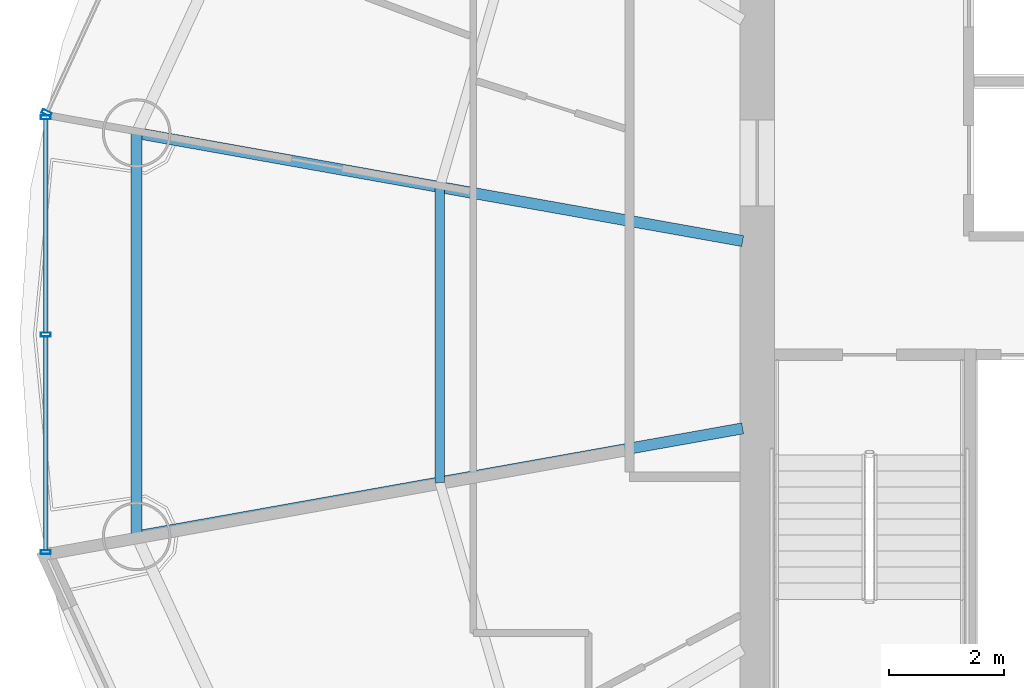
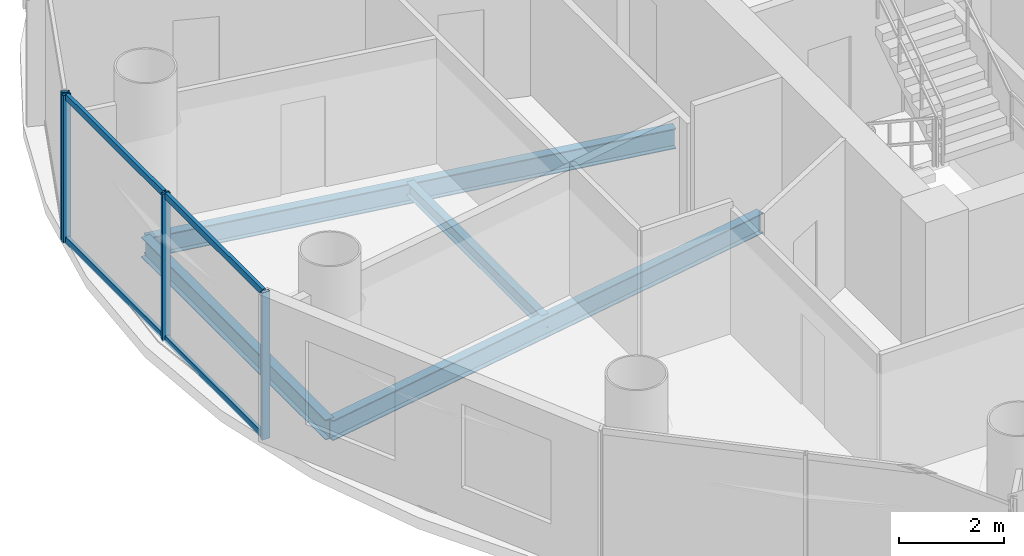
# One storey, part 7 of 27: 8 members, 4 beams, 2 elements without a shape of their own.
"""IFC4 building model written with IfcOpenShell, lengths in metres."""

from ifc_helpers import new_model, si_unit, direction, frame, origin, origin_2d, place, context, subcontext, project, spatial, hollow_rectangle, i_section, extrude, source, transform, mapped, material, material_profile, profile_set, type_object, element, aggregate, save


model = new_model("IFC4")

# Units and contexts
model_context = context("Model", 3, precision=1e-05, world=origin(), true_north=direction((-0.2419218956, 0.970295726276)))
body_context = subcontext(model_context, "Body", "Model", "MODEL_VIEW")
ifc_project = project(units=[si_unit("LENGTHUNIT", "METRE"), si_unit("AREAUNIT", "SQUARE_METRE"), si_unit("VOLUMEUNIT", "CUBIC_METRE"), si_unit("PLANEANGLEUNIT", "RADIAN"), si_unit("MASSUNIT", "GRAM", prefix="KILO")], contexts=[model_context])

# Site, building, storey
site_placement = place(None, origin())
site = spatial("IfcSite", under=ifc_project, at=site_placement, CompositionType="ELEMENT")
building_placement = place(site_placement, origin())
building = spatial("IfcBuilding", under=site, at=building_placement, Name="Cobrevalo Terracotta Tower", CompositionType="ELEMENT")
storey_placement = place(building_placement, frame((0.0, 0.0, 191.199951171875)))
storey = spatial("IfcBuildingStorey", under=building, at=storey_placement, Name="L50", CompositionType="ELEMENT", Elevation=191.199951171875)

# Beams
ifc_material_1 = material(Name="Steel S355", Category="steel")
ifc_material_profile_1 = material_profile(ifc_material_1, i_section(OverallWidth=0.194091796875, OverallDepth=0.468994140625, WebThickness=0.011474609375, FlangeThickness=0.0205078125, at=origin_2d()), Name="W 460x106")
ifc_profile_set_1 = profile_set([ifc_material_profile_1], Name="Steel S355")
beam_type_1 = type_object("IfcBeamType", Name="Structural Beam W 460x106 (Steel S355)", PredefinedType="BEAM", material=ifc_profile_set_1)
for number, where, z_axis, x_axis, name in (
    (1, (18.237060546875, 30.3212890625, -0.49951171875), (0.98449712063, -0.175400739656, 0.0), (0.175400739656, 0.98449712063, 0.0), "L50 radial floor girder 08"),
    (2, (18.237060546875, 23.278564453125, -0.49951171875), (0.984493198547, 0.175422752274, 0.0), (-0.175422752274, 0.984493198547, 0.0), "L50 radial floor girder 09"),
):
    element("IfcBeam", number, at=place(storey_placement, frame(where, z_axis=z_axis, x_axis=x_axis)), inside=storey, type_object=beam_type_1, Name=name, PredefinedType="BEAM", context=body_context, shape_type="SweptSolid", body=[
        extrude(i_section(OverallWidth=0.194091796875, OverallDepth=0.468994140625, WebThickness=0.011474609375, FlangeThickness=0.0205078125, at=origin_2d()), origin(), (0.0, 0.0, 1.0), 10.749755859375),
    ])
ifc_material_profile_2 = material_profile(ifc_material_1, i_section(OverallWidth=0.1650390625, OverallDepth=0.31005859375, WebThickness=0.005859375, FlangeThickness=0.009765625, at=origin_2d()), Name="W 310x38.7")
ifc_profile_set_2 = profile_set([ifc_material_profile_2], Name="Steel S355")
beam_type_2 = type_object("IfcBeamType", Name="Structural Joist W 310x38.7 (Steel S355)", PredefinedType="JOIST", material=ifc_profile_set_2)
beam_1_placement = place(storey_placement, frame((23.528564453125, 29.378662109375, -0.419921875), z_axis=(0.0, -1.0, 0.0), x_axis=(1.0, 0.0, 0.0)))
element("IfcBeam", 3, at=beam_1_placement, inside=storey, type_object=beam_type_2, Name="L50 circumferential secondary floor joist 08", PredefinedType="JOIST", context=body_context, shape_type="SweptSolid", body=[
    extrude(i_section(OverallWidth=0.1650390625, OverallDepth=0.31005859375, WebThickness=0.005859375, FlangeThickness=0.009765625, at=origin_2d()), origin(), (0.0, 0.0, 1.0), 5.1572265625),
])
ifc_material_profile_3 = material_profile(ifc_material_1, i_section(OverallWidth=0.194091796875, OverallDepth=0.468994140625, WebThickness=0.011474609375, FlangeThickness=0.0205078125, at=origin_2d()), Name="W 460x106")
ifc_profile_set_3 = profile_set([ifc_material_profile_3], Name="Steel S355")
beam_type_3 = type_object("IfcBeamType", Name="Structural Spandrel W 460x106 (Steel S355)", PredefinedType="SPANDREL", material=ifc_profile_set_3)
beam_2_placement = place(storey_placement, frame((18.237060546875, 30.3212890625, -0.49951171875), z_axis=(0.0, -1.0, 0.0), x_axis=(1.0, 0.0, 0.0)))
element("IfcBeam", 4, at=beam_2_placement, inside=storey, type_object=beam_type_3, Name="L50 perimeter ring spandrel 08", PredefinedType="SPANDREL", context=body_context, shape_type="SweptSolid", body=[
    extrude(i_section(OverallWidth=0.194091796875, OverallDepth=0.468994140625, WebThickness=0.011474609375, FlangeThickness=0.0205078125, at=origin_2d()), origin(), (0.0, 0.0, 1.0), 7.042724609375),
])

# Curtain wall, members
ifc_material_2 = material(Name="Anodized aluminium", Category="aluminium")
curtain_wall_type = type_object("IfcCurtainWallType", Name="Mid-tower high-wind unitised curtain wall CW-U2", PredefinedType="NOTDEFINED", material=ifc_material_2)
curtain_wall_1_placement = place(storey_placement, origin())
curtain_wall_1 = element("IfcCurtainWall", 5, at=curtain_wall_1_placement, inside=storey, type_object=curtain_wall_type, Name="L50 curtain wall CW-L50-S08", PredefinedType="NOTDEFINED")
ifc_material_profile_4 = material_profile(ifc_material_2, hollow_rectangle(XDim=0.074951171875, YDim=0.14990234375, WallThickness=0.00439453125, at=origin_2d()), Name="CWT 75x150")
ifc_profile_set_4 = profile_set([ifc_material_profile_4], Name="Anodized aluminium")
member_type_1 = type_object("IfcMemberType", Name="Tower unitised aluminium transom 75x150", PredefinedType="USERDEFINED", material=ifc_profile_set_4)
shared_shape_1 = source(origin(), body_context, "Body", "SweptSolid", [
    extrude(hollow_rectangle(XDim=0.074951171875, YDim=0.14990234375, WallThickness=0.00439453125, at=origin_2d()), origin(), (0.0, 0.0, 1.0), 3.71728515625),
])
member_1_placement = place(storey_placement, frame((16.648193359375, 30.557373046875, 0.050048828125), z_axis=(0.0, -1.0, 0.0), x_axis=(1.0, 0.0, 0.0)))
member_1 = element("IfcMember", 6, at=member_1_placement, type_object=member_type_1, Name="CW-L50-S08 transom B01-T1", ObjectType="TRANSOM", PredefinedType="USERDEFINED", context=body_context, shape_type="MappedRepresentation", body=[
    mapped(shared_shape_1, transform((0.0, 0.0, 0.0), scale=1.0)),
])
member_2_placement = place(storey_placement, frame((16.648193359375, 30.557373046875, 3.385009765625), z_axis=(0.0, -1.0, 0.0), x_axis=(1.0, 0.0, 0.0)))
member_2 = element("IfcMember", 7, at=member_2_placement, type_object=member_type_1, Name="CW-L50-S08 transom B01-T2", ObjectType="TRANSOM", PredefinedType="USERDEFINED", context=body_context, shape_type="MappedRepresentation", body=[
    mapped(shared_shape_1, transform((0.0, 0.0, 0.0), scale=1.0)),
])
shared_shape_2 = source(origin(), body_context, "Body", "SweptSolid", [
    extrude(hollow_rectangle(XDim=0.074951171875, YDim=0.14990234375, WallThickness=0.00439453125, at=origin_2d()), origin(), (0.0, 0.0, 1.0), 3.717529296875),
])
member_3_placement = place(storey_placement, frame((16.648193359375, 26.760009765625, 0.050048828125), z_axis=(0.0, -1.0, 0.0), x_axis=(1.0, 0.0, 0.0)))
member_3 = element("IfcMember", 8, at=member_3_placement, type_object=member_type_1, Name="CW-L50-S08 transom B02-T1", ObjectType="TRANSOM", PredefinedType="USERDEFINED", context=body_context, shape_type="MappedRepresentation", body=[
    mapped(shared_shape_2, transform((0.0, 0.0, 0.0), scale=1.0)),
])
member_4_placement = place(storey_placement, frame((16.648193359375, 26.760009765625, 3.385009765625), z_axis=(0.0, -1.0, 0.0), x_axis=(1.0, 0.0, 0.0)))
member_4 = element("IfcMember", 9, at=member_4_placement, type_object=member_type_1, Name="CW-L50-S08 transom B02-T2", ObjectType="TRANSOM", PredefinedType="USERDEFINED", context=body_context, shape_type="MappedRepresentation", body=[
    mapped(shared_shape_2, transform((0.0, 0.0, 0.0), scale=1.0)),
])

# Curtain wall, member
curtain_wall_2_placement = place(storey_placement, origin())
curtain_wall_2 = element("IfcCurtainWall", 10, at=curtain_wall_2_placement, inside=storey, type_object=curtain_wall_type, Name="L50 curtain wall CW-L50-S07", PredefinedType="NOTDEFINED")
ifc_material_profile_5 = material_profile(ifc_material_2, hollow_rectangle(XDim=0.070068359375, YDim=0.169921875, WallThickness=0.00439453125, at=origin_2d()), Name="CWM 70x170")
ifc_profile_set_5 = profile_set([ifc_material_profile_5], Name="Anodized aluminium")
member_type_2 = type_object("IfcMemberType", Name="Upper tower unitised mullion 70x170", PredefinedType="MULLION", material=ifc_profile_set_5)
shared_shape_3 = source(origin(), body_context, "Body", "SweptSolid", [
    extrude(hollow_rectangle(XDim=0.070068359375, YDim=0.169921875, WallThickness=0.00439453125, at=origin_2d()), origin(), (0.0, 0.0, 1.0), 3.43505859375),
])
member_5_placement = place(storey_placement, frame((16.6650390625, 30.673828125, 0.0), z_axis=(0.0, 0.0, 1.0), x_axis=(-0.41672507912, -0.909032567311, 0.0)))
member_5 = element("IfcMember", 11, at=member_5_placement, type_object=member_type_2, Name="CW-L50-S07 vertical mullion 03", PredefinedType="MULLION", context=body_context, shape_type="MappedRepresentation", body=[
    mapped(shared_shape_3, transform((0.0, 0.0, 0.0), scale=1.0)),
])
aggregate(curtain_wall_2, [member_5])

# Member
member_6_placement = place(storey_placement, frame((16.648193359375, 30.597412109375, 0.0), z_axis=(0.0, 0.0, 1.0), x_axis=(0.0, -1.0, 0.0)))
member_6 = element("IfcMember", 12, at=member_6_placement, type_object=member_type_2, Name="CW-L50-S08 vertical mullion 01", PredefinedType="MULLION", context=body_context, shape_type="MappedRepresentation", body=[
    mapped(shared_shape_3, transform((0.0, 0.0, 0.0), scale=1.0)),
])

member_7_placement = place(storey_placement, frame((16.648193359375, 26.800048828125, 0.0), z_axis=(0.0, 0.0, 1.0), x_axis=(0.0, -1.0, 0.0)))
member_7 = element("IfcMember", 13, at=member_7_placement, type_object=member_type_2, Name="CW-L50-S08 vertical mullion 02", PredefinedType="MULLION", context=body_context, shape_type="MappedRepresentation", body=[
    mapped(shared_shape_3, transform((0.0, 0.0, 0.0), scale=1.0)),
])

member_8_placement = place(storey_placement, frame((16.648193359375, 23.002685546875, 0.0), z_axis=(0.0, 0.0, 1.0), x_axis=(0.0, -1.0, 0.0)))
member_8 = element("IfcMember", 14, at=member_8_placement, type_object=member_type_2, Name="CW-L50-S08 vertical mullion 03", PredefinedType="MULLION", context=body_context, shape_type="MappedRepresentation", body=[
    mapped(shared_shape_3, transform((0.0, 0.0, 0.0), scale=1.0)),
])

aggregate(curtain_wall_1, [member_6, member_7, member_8, member_1, member_2, member_3, member_4])

save(model, "model.ifc")
